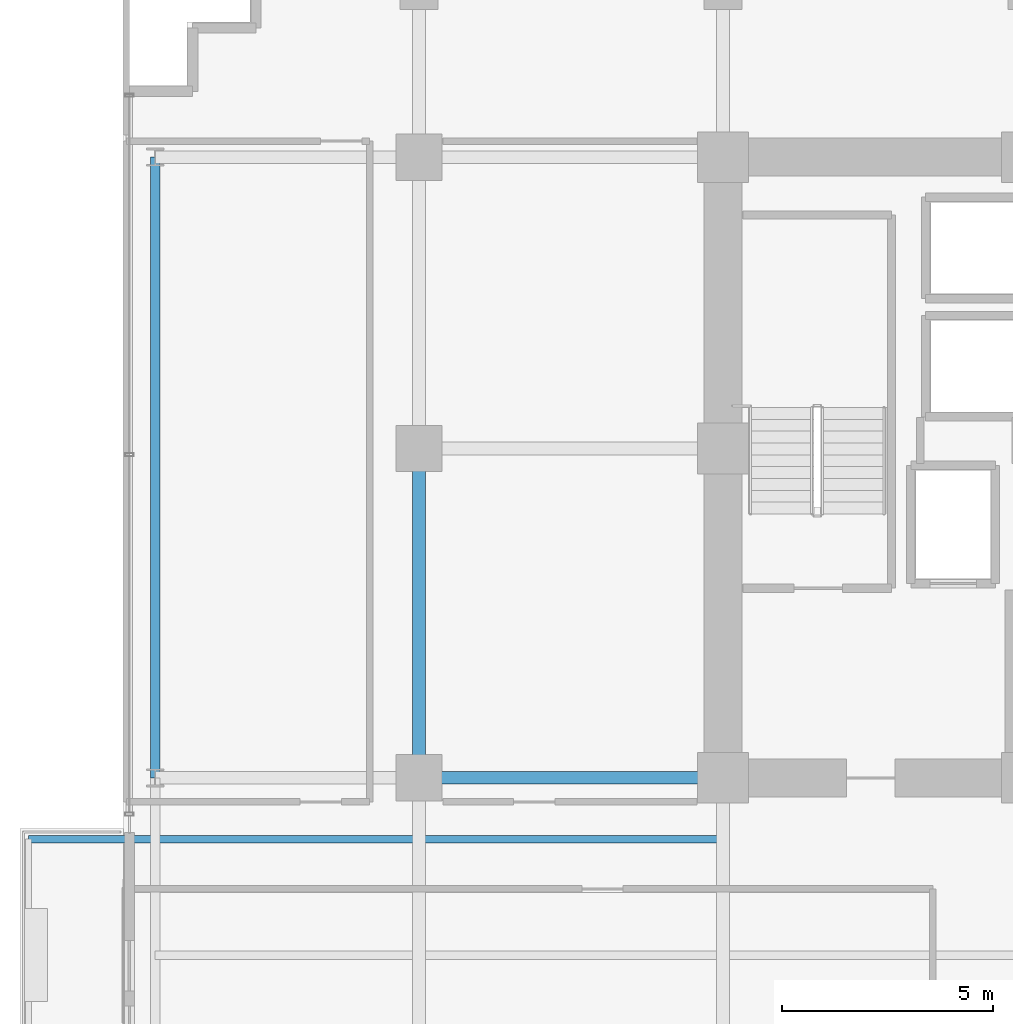
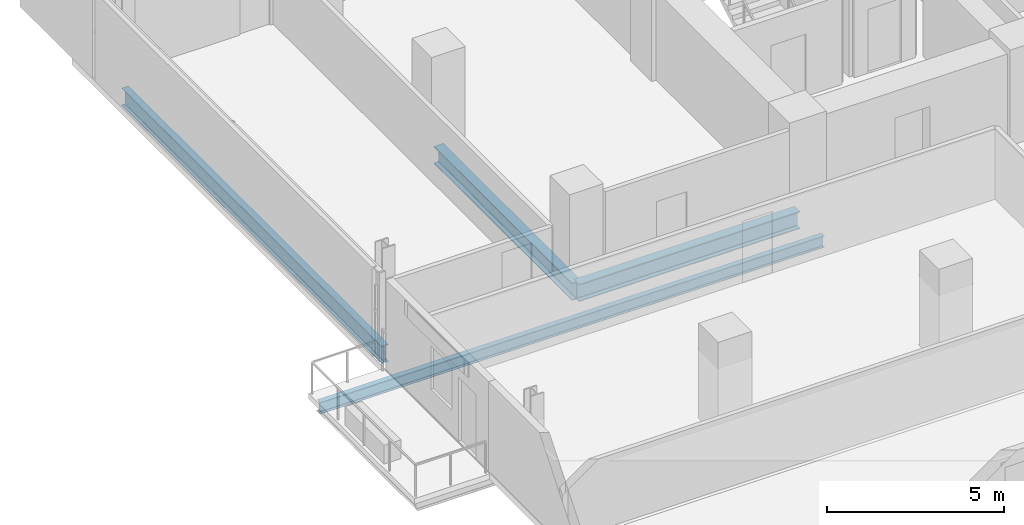
# One storey, part 6 of 31: 4 beams.
"""IFC4 building model written with IfcOpenShell, lengths in metres."""

from ifc_helpers import new_model, si_unit, direction, frame, origin, origin_2d, place, context, subcontext, project, spatial, i_section, extrude, material, material_profile, profile_set, type_object, element, save


model = new_model("IFC4")

# Units and contexts
model_context = context("Model", 3, precision=1e-05, world=origin(), true_north=direction((0.0, 1.0)))
body_context = subcontext(model_context, "Body", "Model", "MODEL_VIEW")
ifc_project = project(units=[si_unit("LENGTHUNIT", "METRE"), si_unit("AREAUNIT", "SQUARE_METRE"), si_unit("VOLUMEUNIT", "CUBIC_METRE"), si_unit("PLANEANGLEUNIT", "RADIAN"), si_unit("MASSUNIT", "GRAM", prefix="KILO")], contexts=[model_context])

# Site, building, storey
site_placement = place(None, origin())
site = spatial("IfcSite", under=ifc_project, at=site_placement, CompositionType="ELEMENT")
building_placement = place(site_placement, origin())
building = spatial("IfcBuilding", under=site, at=building_placement, Name="Zarnakvel Exchange Tower", CompositionType="ELEMENT")
storey_placement = place(building_placement, frame((0.0, 0.0, 60.39990234375)))
storey = spatial("IfcBuildingStorey", under=building, at=storey_placement, Name="L16", CompositionType="ELEMENT", Elevation=60.39990234375)

# Beams
ifc_material = material(Name="Steel S355", Category="steel")
ifc_material_profile_1 = material_profile(ifc_material, i_section(OverallWidth=0.179931640625, OverallDepth=0.39990234375, WebThickness=0.008544921875, FlangeThickness=0.013427734375, FilletRadius=0.02099609375, at=origin_2d()))
ifc_profile_set_1 = profile_set([ifc_material_profile_1], Name="Steel S355")
beam_type_1 = type_object("IfcBeamType", Name="B-06", PredefinedType="JOIST", material=ifc_profile_set_1)
beam_1_placement = place(storey_placement, frame((-14.39990234375, -2.64990234375, -0.4248046875), z_axis=(-1.0, 0.0, 0.0), x_axis=(0.0, -1.0, 0.0)))
element("IfcBeam", 1, at=beam_1_placement, inside=storey, type_object=beam_type_1, Name="L16 Continuous West Loggia Beam N", PredefinedType="JOIST", context=body_context, shape_type="SweptSolid", body=[
    extrude(i_section(OverallWidth=0.179931640625, OverallDepth=0.39990234375, WebThickness=0.008544921875, FlangeThickness=0.013427734375, FilletRadius=0.02099609375, at=origin_2d()), origin(), (0.0, 0.0, 1.0), 16.4501953125),
])
ifc_material_profile_2 = material_profile(ifc_material, i_section(OverallWidth=0.300048828125, OverallDepth=0.60009765625, WebThickness=0.015380859375, FlangeThickness=0.030029296875, FilletRadius=0.027099609375, at=origin_2d()))
ifc_profile_set_2 = profile_set([ifc_material_profile_2], Name="Steel S355")
beam_type_2 = type_object("IfcBeamType", Name="G-04", PredefinedType="BEAM", material=ifc_profile_set_2)
beam_2_placement = place(storey_placement, frame((-21.60009765625, -1.199951171875, -0.52490234375), z_axis=(1.0, 0.0, 0.0), x_axis=(0.0, 1.0, 0.0)))
element("IfcBeam", 2, at=beam_2_placement, inside=storey, type_object=beam_type_2, Name="L16 Tower E-W Frame Beam", PredefinedType="BEAM", context=body_context, shape_type="SweptSolid", body=[
    extrude(i_section(OverallWidth=0.300048828125, OverallDepth=0.60009765625, WebThickness=0.015380859375, FlangeThickness=0.030029296875, FilletRadius=0.027099609375, at=origin_2d()), origin(), (0.0, 0.0, 1.0), 7.2001953125),
])
beam_3_placement = place(storey_placement, frame((-21.60009765625, -1.199951171875, -0.52490234375), z_axis=(0.0, 1.0, 0.0), x_axis=(-1.0, 0.0, 0.0)))
element("IfcBeam", 3, at=beam_3_placement, inside=storey, type_object=beam_type_2, Name="L16 Tower N-S Frame Beam", PredefinedType="BEAM", context=body_context, shape_type="SweptSolid", body=[
    extrude(i_section(OverallWidth=0.300048828125, OverallDepth=0.60009765625, WebThickness=0.015380859375, FlangeThickness=0.030029296875, FilletRadius=0.027099609375, at=origin_2d()), origin(), (0.0, 0.0, 1.0), 7.800048828125),
])
ifc_material_profile_3 = material_profile(ifc_material, i_section(OverallWidth=0.219970703125, OverallDepth=0.60009765625, WebThickness=0.011962890625, FlangeThickness=0.01904296875, FilletRadius=0.02392578125, at=origin_2d()))
ifc_profile_set_3 = profile_set([ifc_material_profile_3], Name="Steel S355")
beam_type_3 = type_object("IfcBeamType", Name="SP-01", PredefinedType="SPANDREL", material=ifc_profile_set_3)
beam_4_placement = place(storey_placement, frame((-27.85009765625, -1.199951171875, -0.52490234375), z_axis=(0.0, 1.0, 0.0), x_axis=(-1.0, 0.0, 0.0)))
element("IfcBeam", 4, at=beam_4_placement, inside=storey, type_object=beam_type_3, Name="L16 Tower N-S Frame Beam", PredefinedType="SPANDREL", context=body_context, shape_type="SweptSolid", body=[
    extrude(i_section(OverallWidth=0.219970703125, OverallDepth=0.60009765625, WebThickness=0.011962890625, FlangeThickness=0.01904296875, FilletRadius=0.02392578125, at=origin_2d()), origin(), (0.0, 0.0, 1.0), 14.699951171875),
])

save(model, "model.ifc")
